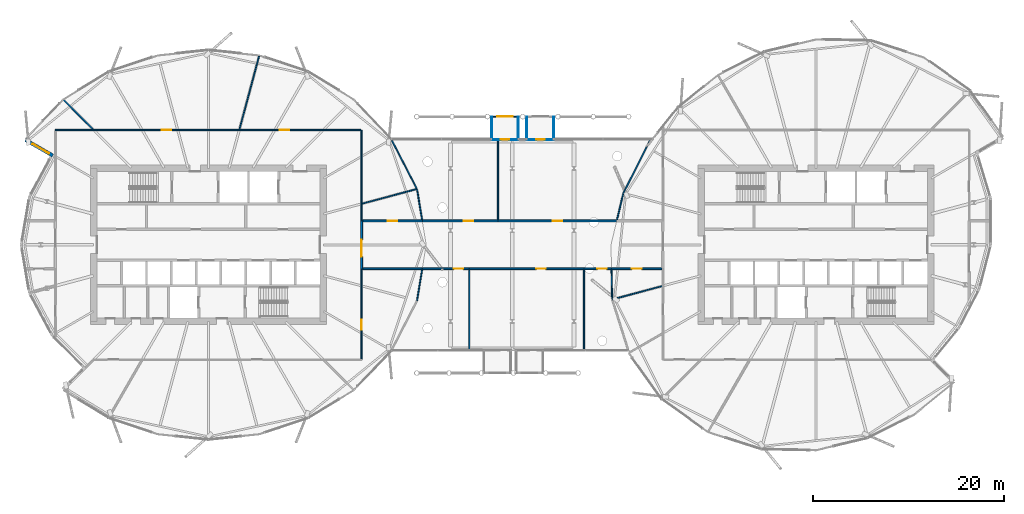
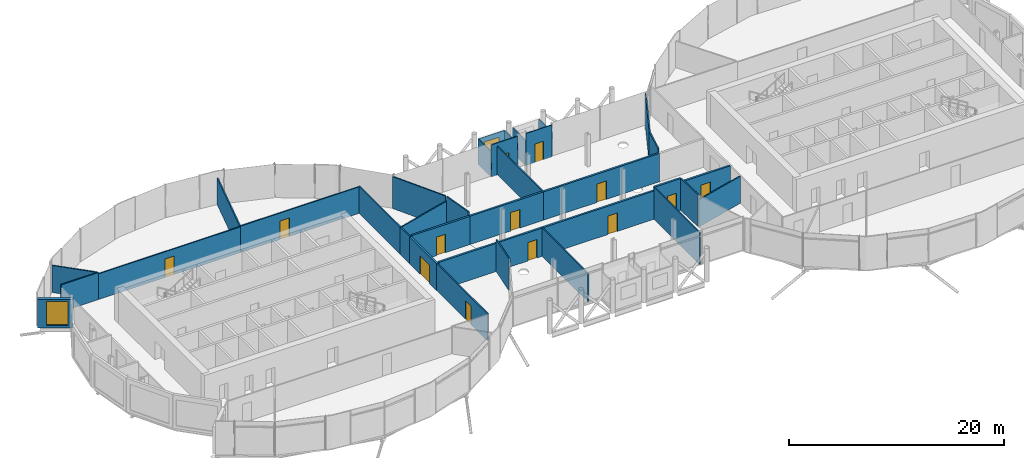
# One storey, part 25 of 39: 36 walls, 13 doors, 2 windows, 15 openings.
"""IFC4 building model written with IfcOpenShell, lengths in metres."""

from ifc_helpers import new_model, si_unit, direction, frame, frame_2d, origin, place, context, subcontext, project, spatial, rectangle, extrude, material, layer, layer_set, type_object, element, fill, save


model = new_model("IFC4")

# Units and contexts
model_context = context("Model", 3, precision=1e-05, world=origin(), true_north=direction((0.0, 1.0)))
body_context = subcontext(model_context, "Body", "Model", "MODEL_VIEW")
ifc_project = project(units=[si_unit("LENGTHUNIT", "METRE"), si_unit("AREAUNIT", "SQUARE_METRE"), si_unit("VOLUMEUNIT", "CUBIC_METRE"), si_unit("PLANEANGLEUNIT", "RADIAN"), si_unit("MASSUNIT", "GRAM", prefix="KILO")], contexts=[model_context])

# Site, building, storey
site_placement = place(None, origin())
site = spatial("IfcSite", under=ifc_project, at=site_placement, CompositionType="ELEMENT")
building_placement = place(site_placement, origin())
building = spatial("IfcBuilding", under=site, at=building_placement, Name="Rimbun Link Towers", CompositionType="ELEMENT")
storey_placement = place(building_placement, frame((0.0, 0.0, 139.199951171875)))
storey = spatial("IfcBuildingStorey", under=building, at=storey_placement, Name="L33", CompositionType="ELEMENT", Elevation=139.199951171875)

# Wall
ifc_material_1 = material(Name="Terracotta-faced insulated sandwich panel", Category="masonry")
ifc_layer_1 = layer(ifc_material_1, 0.10009765625)
ifc_layer_set_1 = layer_set([ifc_layer_1], Name="CAPSULE shell panel 100")
wall_type_1 = type_object("IfcWallType", Name="CAPSULE shell panel 100", PredefinedType="STANDARD", material=ifc_layer_set_1)
wall_1_placement = place(storey_placement, frame((0.646728515625, 11.0, -0.06005859375), z_axis=(0.0, 0.0, 1.0), x_axis=(0.0, 1.0, 0.0)))
element("IfcWall", 1, at=wall_1_placement, inside=storey, type_object=wall_type_1, Name="CAPSULE F33.01 shell panel 1", PredefinedType="STANDARD", context=body_context, shape_type="SweptSolid", body=[
    extrude(rectangle(XDim=2.39990234375, YDim=0.10009765625, at=frame_2d((1.199951171875, 0.0))), origin(), (0.0, 0.0, 1.0), 2.85009765625),
])

# Wall, opening, window
wall_2_placement = place(storey_placement, frame((0.646728515625, 13.39990234375, -0.06005859375), z_axis=(0.0, 0.0, 1.0), x_axis=(-1.0, 0.0, 0.0)))
wall_2 = element("IfcWall", 2, at=wall_2_placement, inside=storey, type_object=wall_type_1, Name="CAPSULE F33.01 shell panel 2", PredefinedType="STANDARD", context=body_context, shape_type="SweptSolid", body=[
    extrude(rectangle(XDim=2.800048828125, YDim=0.10009765625, at=frame_2d((1.39990234375, 0.0))), origin(), (0.0, 0.0, 1.0), 2.85009765625),
])
opening_1_placement = place(wall_2_placement, frame((0.60009765625, 0.0, 0.89990234375)))
opening_1 = element("IfcOpeningElement", 3, at=opening_1_placement, cuts=wall_2, Name="Opening CN33.01", PredefinedType="OPENING", context=body_context, shape_type="SweptSolid", body=[
    extrude(rectangle(XDim=1.60009765625, YDim=1.39990234375, at=frame_2d((0.800048828125, 0.699951171875))), frame((0.0, 0.06005859375, 0.0), z_axis=(0.0, -1.0, 0.0), x_axis=(1.0, 0.0, 0.0)), (0.0, 0.0, 1.0), 0.1201171875),
])
ifc_material_2 = material(Name="Aluminium framed window, low-iron glass", Category="aluminium")
window_type_1 = type_object("IfcWindowType", Name="CAPSULE window 1600X1400", PartitioningType="SINGLE_PANEL", PredefinedType="WINDOW", material=ifc_material_2)
window_1_placement = place(opening_1_placement, origin())
window_1 = element("IfcWindow", 4, at=window_1_placement, inside=storey, type_object=window_type_1, Name="CAPSULE F33.01 window", OverallHeight=1.39990234375, OverallWidth=1.60009765625, PartitioningType="SINGLE_PANEL", PredefinedType="WINDOW", context=body_context, shape_type="SweptSolid", body=[
    extrude(rectangle(XDim=1.60009765625, YDim=1.39990234375, at=frame_2d((0.800048828125, 0.699951171875))), frame((0.0, 0.030029296875, 0.0), z_axis=(0.0, -1.0, 0.0), x_axis=(1.0, 0.0, 0.0)), (0.0, 0.0, 1.0), 0.06005859375),
])
fill(opening_1, window_1)

# Wall
wall_3_placement = place(storey_placement, frame((-2.1533203125, 13.39990234375, -0.06005859375), z_axis=(0.0, 0.0, 1.0), x_axis=(0.0, -1.0, 0.0)))
element("IfcWall", 5, at=wall_3_placement, inside=storey, type_object=wall_type_1, Name="CAPSULE F33.01 shell panel 3", PredefinedType="STANDARD", context=body_context, shape_type="SweptSolid", body=[
    extrude(rectangle(XDim=2.39990234375, YDim=0.10009765625, at=frame_2d((1.199951171875, 0.0))), origin(), (0.0, 0.0, 1.0), 2.85009765625),
])

# Wall, opening, door
wall_4_placement = place(storey_placement, frame((-2.1533203125, 11.0, -0.06005859375), z_axis=(0.0, 0.0, 1.0), x_axis=(1.0, 0.0, 0.0)))
wall_4 = element("IfcWall", 6, at=wall_4_placement, inside=storey, type_object=wall_type_1, Name="CAPSULE F33.01 shell panel 4", PredefinedType="STANDARD", context=body_context, shape_type="SweptSolid", body=[
    extrude(rectangle(XDim=2.800048828125, YDim=0.10009765625, at=frame_2d((1.39990234375, 0.0))), origin(), (0.0, 0.0, 1.0), 3.64013671875),
])
opening_2_placement = place(wall_4_placement, frame((0.949951171875, 0.0, 0.0)))
opening_2 = element("IfcOpeningElement", 7, at=opening_2_placement, cuts=wall_4, Name="Opening CD33.01", PredefinedType="OPENING", context=body_context, shape_type="SweptSolid", body=[
    extrude(rectangle(XDim=0.89990234375, YDim=2.10009765625, at=frame_2d((0.449951171875, 1.050048828125))), frame((0.0, 0.06005859375, 0.0), z_axis=(0.0, -1.0, 0.0), x_axis=(1.0, 0.0, 0.0)), (0.0, 0.0, 1.0), 0.1201171875),
])
ifc_material_3 = material(Name="Aluminium framed insulated door leaf", Category="aluminium")
door_type_1 = type_object("IfcDoorType", Name="CAPSULE door single leaf 900X2100", OperationType="SINGLE_SWING_LEFT", PredefinedType="DOOR", material=ifc_material_3)
door_1_placement = place(opening_2_placement, origin())
door_1 = element("IfcDoor", 8, at=door_1_placement, inside=storey, type_object=door_type_1, Name="CAPSULE F33.01 door", OperationType="SINGLE_SWING_RIGHT", OverallHeight=2.10009765625, OverallWidth=0.89990234375, PredefinedType="DOOR", context=body_context, shape_type="SweptSolid", body=[
    extrude(rectangle(XDim=0.89990234375, YDim=2.10009765625, at=frame_2d((0.449951171875, 1.050048828125))), frame((0.0, 0.02490234375, 0.0), z_axis=(0.0, -1.0, 0.0), x_axis=(1.0, 0.0, 0.0)), (0.0, 0.0, 1.0), 0.050048828125),
])
fill(opening_2, door_1)

# Walls
for number, where, z_axis, x_axis, name in (
    (9, (4.336669921875, 11.0, -0.06005859375), (0.0, 0.0, 1.0), (0.0, 1.0, 0.0), "CAPSULE F33.02 shell panel 1"),
    (10, (1.536865234375, 13.39990234375, -0.06005859375), (0.0, 0.0, 1.0), (0.0, -1.0, 0.0), "CAPSULE F33.02 shell panel 3"),
):
    element("IfcWall", number, at=place(storey_placement, frame(where, z_axis=z_axis, x_axis=x_axis)), inside=storey, type_object=wall_type_1, Name=name, PredefinedType="STANDARD", context=body_context, shape_type="SweptSolid", body=[
        extrude(rectangle(XDim=2.39990234375, YDim=0.10009765625, at=frame_2d((1.199951171875, 0.0))), origin(), (0.0, 0.0, 1.0), 2.85009765625),
    ])

# Wall, opening, door
wall_5_placement = place(storey_placement, frame((1.536865234375, 11.0, -0.06005859375), z_axis=(0.0, 0.0, 1.0), x_axis=(1.0, 0.0, 0.0)))
wall_5 = element("IfcWall", 11, at=wall_5_placement, inside=storey, type_object=wall_type_1, Name="CAPSULE F33.02 shell panel 4", PredefinedType="STANDARD", context=body_context, shape_type="SweptSolid", body=[
    extrude(rectangle(XDim=2.7998046875, YDim=0.10009765625, at=frame_2d((1.39990234375, 0.0))), origin(), (0.0, 0.0, 1.0), 3.64013671875),
])
opening_3_placement = place(wall_5_placement, frame((0.949951171875, 0.0, 0.0)))
opening_3 = element("IfcOpeningElement", 12, at=opening_3_placement, cuts=wall_5, Name="Opening CD33.02", PredefinedType="OPENING", context=body_context, shape_type="SweptSolid", body=[
    extrude(rectangle(XDim=0.89990234375, YDim=2.10009765625, at=frame_2d((0.449951171875, 1.050048828125))), frame((0.0, 0.06005859375, 0.0), z_axis=(0.0, -1.0, 0.0), x_axis=(1.0, 0.0, 0.0)), (0.0, 0.0, 1.0), 0.1201171875),
])
door_2_placement = place(opening_3_placement, origin())
door_2 = element("IfcDoor", 13, at=door_2_placement, inside=storey, type_object=door_type_1, Name="CAPSULE F33.02 door", OperationType="SINGLE_SWING_LEFT", OverallHeight=2.10009765625, OverallWidth=0.89990234375, PredefinedType="DOOR", context=body_context, shape_type="SweptSolid", body=[
    extrude(rectangle(XDim=0.89990234375, YDim=2.10009765625, at=frame_2d((0.449951171875, 1.050048828125))), frame((0.0, 0.02490234375, 0.0), z_axis=(0.0, -1.0, 0.0), x_axis=(1.0, 0.0, 0.0)), (0.0, 0.0, 1.0), 0.050048828125),
])
fill(opening_3, door_2)

# Wall, opening, window
ifc_material_4 = material(Name="Dark enamelled glass spandrel on insulated aluminium backpan", Category="aluminium")
ifc_layer_2 = layer(ifc_material_4, 0.3701171875)
ifc_layer_set_2 = layer_set([ifc_layer_2], Name="CS dark enamelled spandrel wall 370")
wall_type_2 = type_object("IfcWallType", Name="CS dark enamelled spandrel wall 370", PredefinedType="STANDARD", material=ifc_layer_set_2)
wall_6_placement = place(storey_placement, frame((-48.031494140625, 9.324951171875, 0.0), z_axis=(0.0, 0.0, 1.0), x_axis=(-0.866008333849, 0.50002956483, 0.0)))
wall_6 = element("IfcWall", 14, at=wall_6_placement, inside=storey, type_object=wall_type_2, Name="Crease spandrel wall", PredefinedType="STANDARD", context=body_context, shape_type="SweptSolid", body=[
    extrude(rectangle(XDim=3.280029296875, YDim=0.3701171875, at=frame_2d((1.64013671875, 0.0))), origin(), (0.0, 0.0, 1.0), 3.20361328125),
])
opening_4_placement = place(wall_6_placement, frame((0.4501953125, 0.0, 0.300048828125)))
opening_4 = element("IfcOpeningElement", 15, at=opening_4_placement, cuts=wall_6, Name="Opening WR20H270", PredefinedType="OPENING", context=body_context, shape_type="SweptSolid", body=[
    extrude(rectangle(XDim=2.0, YDim=2.699951171875, at=frame_2d((1.0, 1.35009765625))), frame((0.0, 0.195068359375, 0.0), z_axis=(0.0, -1.0, 0.0), x_axis=(1.0, 0.0, 0.0)), (0.0, 0.0, 1.0), 0.39013671875),
])
ifc_material_5 = material(Name="Aluminium framed fixed window, dark tinted low-e glass", Category="aluminium")
window_type_2 = type_object("IfcWindowType", Name="WR ribbon window 2000X2700", PartitioningType="SINGLE_PANEL", PredefinedType="WINDOW", material=ifc_material_5)
window_2_placement = place(opening_4_placement, origin())
window_2 = element("IfcWindow", 16, at=window_2_placement, inside=storey, type_object=window_type_2, Name="Crease ribbon window", OverallHeight=2.699951171875, OverallWidth=2.0, PartitioningType="SINGLE_PANEL", PredefinedType="WINDOW", context=body_context, shape_type="SweptSolid", body=[
    extrude(rectangle(XDim=2.0, YDim=2.699951171875, at=frame_2d((1.0, 1.35009765625))), frame((0.0, 0.030029296875, 0.0), z_axis=(0.0, -1.0, 0.0), x_axis=(1.0, 0.0, 0.0)), (0.0, 0.0, 1.0), 0.06005859375),
])
fill(opening_4, window_2)

# Wall, opening, door
ifc_material_6 = material(Name="Concrete blockwork", Category="masonry")
ifc_layer_3 = layer(ifc_material_6, 0.199951171875)
ifc_layer_set_3 = layer_set([ifc_layer_3], Name="Fire partition 200 blockwork")
wall_type_3 = type_object("IfcWallType", Name="Fire partition 200 blockwork", PredefinedType="PARTITIONING", material=ifc_layer_set_3)
wall_7_placement = place(storey_placement, frame((-1.5, 2.5, 0.0), z_axis=(0.0, 0.0, 1.0), x_axis=(-1.0, 0.0, 0.0)))
wall_7 = element("IfcWall", 17, at=wall_7_placement, inside=storey, type_object=wall_type_3, Name="TW/PW/L33/001", PredefinedType="PARTITIONING", context=body_context, shape_type="SweptSolid", body=[
    extrude(rectangle(XDim=7.90771484375, YDim=0.199951171875, at=frame_2d((3.953857421875, 0.0))), origin(), (0.0, 0.0, 1.0), 3.214111328125),
])
opening_5_placement = place(wall_7_placement, frame((2.552978515625, 0.0, 0.0)))
opening_5 = element("IfcOpeningElement", 18, at=opening_5_placement, cuts=wall_7, Name="Opening TW D33.18", PredefinedType="OPENING", context=body_context, shape_type="SweptSolid", body=[
    extrude(rectangle(XDim=1.0, YDim=2.10009765625, at=frame_2d((0.5, 1.050048828125))), frame((0.0, 0.10986328125, 0.0), z_axis=(0.0, -1.0, 0.0), x_axis=(1.0, 0.0, 0.0)), (0.0, 0.0, 1.0), 0.219970703125),
])
ifc_material_7 = material(Name="Steel fire door set", Category="steel")
door_type_2 = type_object("IfcDoorType", Name="Fire door single leaf 1000 x 2100", OperationType="NOTDEFINED", PredefinedType="DOOR", material=ifc_material_7)
door_3_placement = place(opening_5_placement, origin())
door_3 = element("IfcDoor", 19, at=door_3_placement, inside=storey, type_object=door_type_2, Name="TW/DR/L33/018", OperationType="SINGLE_SWING_LEFT", OverallHeight=2.10009765625, OverallWidth=1.0, PredefinedType="DOOR", context=body_context, shape_type="SweptSolid", body=[
    extrude(rectangle(XDim=1.0, YDim=2.10009765625, at=frame_2d((0.5, 1.050048828125))), frame((0.0, 0.02490234375, 0.0), z_axis=(0.0, -1.0, 0.0), x_axis=(1.0, 0.0, 0.0)), (0.0, 0.0, 1.0), 0.050048828125),
])
fill(opening_5, door_3)

wall_8_placement = place(storey_placement, frame((10.916748046875, 2.5, 0.0), z_axis=(0.0, 0.0, 1.0), x_axis=(-1.0, 0.0, 0.0)))
wall_8 = element("IfcWall", 20, at=wall_8_placement, inside=storey, type_object=wall_type_3, Name="TW/PW/L33/002", PredefinedType="PARTITIONING", context=body_context, shape_type="SweptSolid", body=[
    extrude(rectangle(XDim=12.416748046875, YDim=0.199951171875, at=frame_2d((6.20849609375, 0.0))), origin(), (0.0, 0.0, 1.0), 3.214111328125),
])
opening_6_placement = place(wall_8_placement, frame((5.7080078125, 0.0, 0.0)))
opening_6 = element("IfcOpeningElement", 21, at=opening_6_placement, cuts=wall_8, Name="Opening TW D33.19", PredefinedType="OPENING", context=body_context, shape_type="SweptSolid", body=[
    extrude(rectangle(XDim=1.0, YDim=2.10009765625, at=frame_2d((0.5, 1.050048828125))), frame((0.0, 0.10986328125, 0.0), z_axis=(0.0, -1.0, 0.0), x_axis=(1.0, 0.0, 0.0)), (0.0, 0.0, 1.0), 0.219970703125),
])
door_4_placement = place(opening_6_placement, origin())
door_4 = element("IfcDoor", 22, at=door_4_placement, inside=storey, type_object=door_type_2, Name="TW/DR/L33/019", OperationType="SINGLE_SWING_RIGHT", OverallHeight=2.10009765625, OverallWidth=1.0, PredefinedType="DOOR", context=body_context, shape_type="SweptSolid", body=[
    extrude(rectangle(XDim=1.0, YDim=2.10009765625, at=frame_2d((0.5, 1.050048828125))), frame((0.0, 0.02490234375, 0.0), z_axis=(0.0, -1.0, 0.0), x_axis=(1.0, 0.0, 0.0)), (0.0, 0.0, 1.0), 0.050048828125),
])
fill(opening_6, door_4)

wall_9_placement = place(storey_placement, frame((-9.40771484375, -2.5, 0.0), z_axis=(0.0, 0.0, 1.0), x_axis=(1.0, 0.0, 0.0)))
wall_9 = element("IfcWall", 23, at=wall_9_placement, inside=storey, type_object=wall_type_3, Name="TW/PW/L33/003", PredefinedType="PARTITIONING", context=body_context, shape_type="SweptSolid", body=[
    extrude(rectangle(XDim=4.90771484375, YDim=0.199951171875, at=frame_2d((2.453857421875, 0.0))), origin(), (0.0, 0.0, 1.0), 3.214111328125),
])
opening_7_placement = place(wall_9_placement, frame((3.306884765625, 0.0, 0.0)))
opening_7 = element("IfcOpeningElement", 24, at=opening_7_placement, cuts=wall_9, Name="Opening TW D33.20", PredefinedType="OPENING", context=body_context, shape_type="SweptSolid", body=[
    extrude(rectangle(XDim=1.0, YDim=2.10009765625, at=frame_2d((0.5, 1.050048828125))), frame((0.0, 0.10986328125, 0.0), z_axis=(0.0, -1.0, 0.0), x_axis=(1.0, 0.0, 0.0)), (0.0, 0.0, 1.0), 0.219970703125),
])
door_5_placement = place(opening_7_placement, origin())
door_5 = element("IfcDoor", 25, at=door_5_placement, inside=storey, type_object=door_type_2, Name="TW/DR/L33/020", OperationType="SINGLE_SWING_LEFT", OverallHeight=2.10009765625, OverallWidth=1.0, PredefinedType="DOOR", context=body_context, shape_type="SweptSolid", body=[
    extrude(rectangle(XDim=1.0, YDim=2.10009765625, at=frame_2d((0.5, 1.050048828125))), frame((0.0, 0.02490234375, 0.0), z_axis=(0.0, -1.0, 0.0), x_axis=(1.0, 0.0, 0.0)), (0.0, 0.0, 1.0), 0.050048828125),
])
fill(opening_7, door_5)

wall_10_placement = place(storey_placement, frame((-4.5, -2.5, 0.0), z_axis=(0.0, 0.0, 1.0), x_axis=(1.0, 0.0, 0.0)))
wall_10 = element("IfcWall", 26, at=wall_10_placement, inside=storey, type_object=wall_type_3, Name="TW/PW/L33/004", PredefinedType="PARTITIONING", context=body_context, shape_type="SweptSolid", body=[
    extrude(rectangle(XDim=12.0, YDim=0.199951171875, at=frame_2d((6.0, 0.0))), origin(), (0.0, 0.0, 1.0), 3.214111328125),
])
opening_8_placement = place(wall_10_placement, frame((7.014892578125, 0.0, 0.0)))
opening_8 = element("IfcOpeningElement", 27, at=opening_8_placement, cuts=wall_10, Name="Opening TW D33.21", PredefinedType="OPENING", context=body_context, shape_type="SweptSolid", body=[
    extrude(rectangle(XDim=1.0, YDim=2.10009765625, at=frame_2d((0.5, 1.050048828125))), frame((0.0, 0.10986328125, 0.0), z_axis=(0.0, -1.0, 0.0), x_axis=(1.0, 0.0, 0.0)), (0.0, 0.0, 1.0), 0.219970703125),
])
door_6_placement = place(opening_8_placement, origin())
door_6 = element("IfcDoor", 28, at=door_6_placement, inside=storey, type_object=door_type_2, Name="TW/DR/L33/021", OperationType="SINGLE_SWING_RIGHT", OverallHeight=2.10009765625, OverallWidth=1.0, PredefinedType="DOOR", context=body_context, shape_type="SweptSolid", body=[
    extrude(rectangle(XDim=1.0, YDim=2.10009765625, at=frame_2d((0.5, 1.050048828125))), frame((0.0, 0.02490234375, 0.0), z_axis=(0.0, -1.0, 0.0), x_axis=(1.0, 0.0, 0.0)), (0.0, 0.0, 1.0), 0.050048828125),
])
fill(opening_8, door_6)

wall_11_placement = place(storey_placement, frame((7.5, -2.5, 0.0), z_axis=(0.0, 0.0, 1.0), x_axis=(1.0, 0.0, 0.0)))
wall_11 = element("IfcWall", 29, at=wall_11_placement, inside=storey, type_object=wall_type_3, Name="TW/PW/L33/005", PredefinedType="PARTITIONING", context=body_context, shape_type="SweptSolid", body=[
    extrude(rectangle(XDim=2.87158203125, YDim=0.199951171875, at=frame_2d((1.435791015625, 0.0))), origin(), (0.0, 0.0, 1.0), 3.6201171875),
])
opening_9_placement = place(wall_11_placement, frame((1.373046875, 0.0, 0.0)))
opening_9 = element("IfcOpeningElement", 30, at=opening_9_placement, cuts=wall_11, Name="Opening TW D33.22", PredefinedType="OPENING", context=body_context, shape_type="SweptSolid", body=[
    extrude(rectangle(XDim=1.0, YDim=2.10009765625, at=frame_2d((0.5, 1.050048828125))), frame((0.0, 0.10986328125, 0.0), z_axis=(0.0, -1.0, 0.0), x_axis=(1.0, 0.0, 0.0)), (0.0, 0.0, 1.0), 0.219970703125),
])
door_7_placement = place(opening_9_placement, origin())
door_7 = element("IfcDoor", 31, at=door_7_placement, inside=storey, type_object=door_type_2, Name="TW/DR/L33/022", OperationType="SINGLE_SWING_LEFT", OverallHeight=2.10009765625, OverallWidth=1.0, PredefinedType="DOOR", context=body_context, shape_type="SweptSolid", body=[
    extrude(rectangle(XDim=1.0, YDim=2.10009765625, at=frame_2d((0.5, 1.050048828125))), frame((0.0, 0.02490234375, 0.0), z_axis=(0.0, -1.0, 0.0), x_axis=(1.0, 0.0, 0.0)), (0.0, 0.0, 1.0), 0.050048828125),
])
fill(opening_9, door_7)

wall_12_placement = place(storey_placement, frame((-15.75, -2.5, 0.0), z_axis=(0.0, 0.0, 1.0), x_axis=(0.0, 1.0, 0.0)))
wall_12 = element("IfcWall", 32, at=wall_12_placement, inside=storey, type_object=wall_type_3, Name="TW/PW/L33/006", PredefinedType="PARTITIONING", context=body_context, shape_type="SweptSolid", body=[
    extrude(rectangle(XDim=5.0, YDim=0.199951171875, at=frame_2d((2.5, 0.0))), origin(), (0.0, 0.0, 1.0), 3.067138671875),
])
opening_10_placement = place(wall_12_placement, frame((1.2548828125, 0.0, 0.0)))
opening_10 = element("IfcOpeningElement", 33, at=opening_10_placement, cuts=wall_12, Name="Opening TW D33.23", PredefinedType="OPENING", context=body_context, shape_type="SweptSolid", body=[
    extrude(rectangle(XDim=1.800048828125, YDim=2.10009765625, at=frame_2d((0.89990234375, 1.050048828125))), frame((0.0, 0.10986328125, 0.0), z_axis=(0.0, -1.0, 0.0), x_axis=(1.0, 0.0, 0.0)), (0.0, 0.0, 1.0), 0.219970703125),
])
ifc_material_8 = material(Name="Steel fire door set", Category="steel")
door_type_3 = type_object("IfcDoorType", Name="Fire door double leaf 1800 x 2100", OperationType="NOTDEFINED", PredefinedType="DOOR", material=ifc_material_8)
door_8_placement = place(opening_10_placement, origin())
door_8 = element("IfcDoor", 34, at=door_8_placement, inside=storey, type_object=door_type_3, Name="TW/DR/L33/023", OperationType="DOUBLE_DOOR_SINGLE_SWING", OverallHeight=2.10009765625, OverallWidth=1.800048828125, PredefinedType="DOOR", context=body_context, shape_type="SweptSolid", body=[
    extrude(rectangle(XDim=1.800048828125, YDim=2.10009765625, at=frame_2d((0.89990234375, 1.050048828125))), frame((0.0, 0.02490234375, 0.0), z_axis=(0.0, -1.0, 0.0), x_axis=(1.0, 0.0, 0.0)), (0.0, 0.0, 1.0), 0.050048828125),
])
fill(opening_10, door_8)

wall_13_placement = place(storey_placement, frame((-9.40771484375, 2.5, 0.0), z_axis=(0.0, 0.0, 1.0), x_axis=(-1.0, 0.0, 0.0)))
wall_13 = element("IfcWall", 35, at=wall_13_placement, inside=storey, type_object=wall_type_3, Name="TW/PW/L33/021", PredefinedType="PARTITIONING", context=body_context, shape_type="SweptSolid", body=[
    extrude(rectangle(XDim=6.2421875, YDim=0.199951171875, at=frame_2d((3.12109375, 0.0))), origin(), (0.0, 0.0, 1.0), 3.194091796875),
])
opening_11_placement = place(wall_13_placement, frame((2.62109375, 0.0, 0.0)))
opening_11 = element("IfcOpeningElement", 36, at=opening_11_placement, cuts=wall_13, Name="Opening TW D33.04", PredefinedType="OPENING", context=body_context, shape_type="SweptSolid", body=[
    extrude(rectangle(XDim=1.0, YDim=2.10009765625, at=frame_2d((0.5, 1.050048828125))), frame((0.0, 0.10986328125, 0.0), z_axis=(0.0, -1.0, 0.0), x_axis=(1.0, 0.0, 0.0)), (0.0, 0.0, 1.0), 0.219970703125),
])
door_9_placement = place(opening_11_placement, origin())
door_9 = element("IfcDoor", 37, at=door_9_placement, inside=storey, type_object=door_type_2, Name="TW/DR/L33/004", OperationType="SINGLE_SWING_LEFT", OverallHeight=2.10009765625, OverallWidth=1.0, PredefinedType="DOOR", context=body_context, shape_type="SweptSolid", body=[
    extrude(rectangle(XDim=1.0, YDim=2.10009765625, at=frame_2d((0.5, 1.050048828125))), frame((0.0, 0.02490234375, 0.0), z_axis=(0.0, -1.0, 0.0), x_axis=(1.0, 0.0, 0.0)), (0.0, 0.0, 1.0), 0.050048828125),
])
fill(opening_11, door_9)

# Wall
wall_14_placement = place(storey_placement, frame((-15.64990234375, -2.5, 0.0), z_axis=(0.0, 0.0, 1.0), x_axis=(1.0, 0.0, 0.0)))
element("IfcWall", 38, at=wall_14_placement, inside=storey, type_object=wall_type_3, Name="TW/PW/L33/022", PredefinedType="PARTITIONING", context=body_context, shape_type="SweptSolid", body=[
    extrude(rectangle(XDim=6.2421875, YDim=0.199951171875, at=frame_2d((3.12109375, 0.0))), origin(), (0.0, 0.0, 1.0), 3.194091796875),
])

# Wall, opening, door
wall_15_placement = place(storey_placement, frame((10.37158203125, -2.5, 0.0), z_axis=(0.0, 0.0, 1.0), x_axis=(1.0, 0.0, 0.0)))
wall_15 = element("IfcWall", 39, at=wall_15_placement, inside=storey, type_object=wall_type_3, Name="TW/PW/L33/049", PredefinedType="PARTITIONING", context=body_context, shape_type="SweptSolid", body=[
    extrude(rectangle(XDim=5.2783203125, YDim=0.199951171875, at=frame_2d((2.63916015625, 0.0))), origin(), (0.0, 0.0, 1.0), 3.194091796875),
])
opening_12_placement = place(wall_15_placement, frame((2.138916015625, 0.0, 0.0)))
opening_12 = element("IfcOpeningElement", 40, at=opening_12_placement, cuts=wall_15, Name="Opening TW D33.16", PredefinedType="OPENING", context=body_context, shape_type="SweptSolid", body=[
    extrude(rectangle(XDim=1.0, YDim=2.10009765625, at=frame_2d((0.5, 1.050048828125))), frame((0.0, 0.10986328125, 0.0), z_axis=(0.0, -1.0, 0.0), x_axis=(1.0, 0.0, 0.0)), (0.0, 0.0, 1.0), 0.219970703125),
])
door_10_placement = place(opening_12_placement, origin())
door_10 = element("IfcDoor", 41, at=door_10_placement, inside=storey, type_object=door_type_2, Name="TW/DR/L33/016", OperationType="SINGLE_SWING_LEFT", OverallHeight=2.10009765625, OverallWidth=1.0, PredefinedType="DOOR", context=body_context, shape_type="SweptSolid", body=[
    extrude(rectangle(XDim=1.0, YDim=2.10009765625, at=frame_2d((0.5, 1.050048828125))), frame((0.0, 0.02490234375, 0.0), z_axis=(0.0, -1.0, 0.0), x_axis=(1.0, 0.0, 0.0)), (0.0, 0.0, 1.0), 0.050048828125),
])
fill(opening_12, door_10)

# Wall
ifc_material_9 = material(Name="Gypsum board on steel studs", Category="steel")
ifc_layer_4 = layer(ifc_material_9, 0.125)
ifc_layer_set_4 = layer_set([ifc_layer_4], Name="Partition 125 board on studs")
wall_type_4 = type_object("IfcWallType", Name="Partition 125 board on studs", PredefinedType="PARTITIONING", material=ifc_layer_set_4)
wall_16_placement = place(storey_placement, frame((-15.75, 2.5, 0.0), z_axis=(0.0, 0.0, 1.0), x_axis=(0.0, 1.0, 0.0)))
element("IfcWall", 42, at=wall_16_placement, inside=storey, type_object=wall_type_4, Name="TW/PW/L33/012", PredefinedType="PARTITIONING", context=body_context, shape_type="SweptSolid", body=[
    extrude(rectangle(XDim=1.787109375, YDim=0.125, at=frame_2d((0.8935546875, 0.0))), origin(), (0.0, 0.0, 1.0), 3.067138671875),
])

# Wall, opening, door
wall_17_placement = place(storey_placement, frame((-15.75, -11.9375, 0.0), z_axis=(0.0, 0.0, 1.0), x_axis=(0.0, 1.0, 0.0)))
wall_17 = element("IfcWall", 43, at=wall_17_placement, inside=storey, type_object=wall_type_4, Name="TW/PW/L33/014", PredefinedType="PARTITIONING", context=body_context, shape_type="SweptSolid", body=[
    extrude(rectangle(XDim=9.4375, YDim=0.125, at=frame_2d((4.71875, 0.0))), origin(), (0.0, 0.0, 1.0), 3.067138671875),
])
opening_13_placement = place(wall_17_placement, frame((3.087890625, 0.0, 0.0)))
opening_13 = element("IfcOpeningElement", 44, at=opening_13_placement, cuts=wall_17, Name="Opening TW D33.05", PredefinedType="OPENING", context=body_context, shape_type="SweptSolid", body=[
    extrude(rectangle(XDim=1.0, YDim=2.10009765625, at=frame_2d((0.5, 1.050048828125))), frame((0.0, 0.072509765625, 0.0), z_axis=(0.0, -1.0, 0.0), x_axis=(1.0, 0.0, 0.0)), (0.0, 0.0, 1.0), 0.14501953125),
])
ifc_material_10 = material(Name="Timber door set", Category="wood")
door_type_4 = type_object("IfcDoorType", Name="Door single leaf 1000 x 2100", OperationType="NOTDEFINED", PredefinedType="DOOR", material=ifc_material_10)
door_11_placement = place(opening_13_placement, origin())
door_11 = element("IfcDoor", 45, at=door_11_placement, inside=storey, type_object=door_type_4, Name="TW/DR/L33/005", OperationType="SINGLE_SWING_RIGHT", OverallHeight=2.10009765625, OverallWidth=1.0, PredefinedType="DOOR", context=body_context, shape_type="SweptSolid", body=[
    extrude(rectangle(XDim=1.0, YDim=2.10009765625, at=frame_2d((0.5, 1.050048828125))), frame((0.0, 0.02490234375, 0.0), z_axis=(0.0, -1.0, 0.0), x_axis=(1.0, 0.0, 0.0)), (0.0, 0.0, 1.0), 0.050048828125),
])
fill(opening_13, door_11)

# Wall
wall_18_placement = place(storey_placement, frame((-15.75, 4.287109375, 0.0), z_axis=(0.0, 0.0, 1.0), x_axis=(0.0, 1.0, 0.0)))
element("IfcWall", 46, at=wall_18_placement, inside=storey, type_object=wall_type_4, Name="TW/PW/L33/015", PredefinedType="PARTITIONING", context=body_context, shape_type="SweptSolid", body=[
    extrude(rectangle(XDim=7.712890625, YDim=0.125, at=frame_2d((3.8564453125, 0.0))), origin(), (0.0, 0.0, 1.0), 3.067138671875),
])

# Wall, opening, door
wall_19_placement = place(storey_placement, frame((-15.8125, 12.0, 0.0), z_axis=(0.0, 0.0, 1.0), x_axis=(-1.0, 0.0, 0.0)))
wall_19 = element("IfcWall", 47, at=wall_19_placement, inside=storey, type_object=wall_type_4, Name="TW/PW/L33/016", PredefinedType="PARTITIONING", context=body_context, shape_type="SweptSolid", body=[
    extrude(rectangle(XDim=12.72216796875, YDim=0.125, at=frame_2d((6.361083984375, 0.0))), origin(), (0.0, 0.0, 1.0), 2.9970703125),
])
opening_14_placement = place(wall_19_placement, frame((7.48388671875, 0.0, 0.0)))
opening_14 = element("IfcOpeningElement", 48, at=opening_14_placement, cuts=wall_19, Name="Opening TW D33.06", PredefinedType="OPENING", context=body_context, shape_type="SweptSolid", body=[
    extrude(rectangle(XDim=1.0, YDim=2.10009765625, at=frame_2d((0.5, 1.050048828125))), frame((0.0, 0.072509765625, 0.0), z_axis=(0.0, -1.0, 0.0), x_axis=(1.0, 0.0, 0.0)), (0.0, 0.0, 1.0), 0.14501953125),
])
door_12_placement = place(opening_14_placement, origin())
door_12 = element("IfcDoor", 49, at=door_12_placement, inside=storey, type_object=door_type_4, Name="TW/DR/L33/006", OperationType="SINGLE_SWING_LEFT", OverallHeight=2.10009765625, OverallWidth=1.0, PredefinedType="DOOR", context=body_context, shape_type="SweptSolid", body=[
    extrude(rectangle(XDim=1.0, YDim=2.10009765625, at=frame_2d((0.5, 1.050048828125))), frame((0.0, 0.02490234375, 0.0), z_axis=(0.0, -1.0, 0.0), x_axis=(1.0, 0.0, 0.0)), (0.0, 0.0, 1.0), 0.050048828125),
])
fill(opening_14, door_12)

wall_20_placement = place(storey_placement, frame((-28.53466796875, 12.0, 0.0), z_axis=(0.0, 0.0, 1.0), x_axis=(-1.0, 0.0, 0.0)))
wall_20 = element("IfcWall", 50, at=wall_20_placement, inside=storey, type_object=wall_type_4, Name="TW/PW/L33/017", PredefinedType="PARTITIONING", context=body_context, shape_type="SweptSolid", body=[
    extrude(rectangle(XDim=15.21533203125, YDim=0.125, at=frame_2d((7.607666015625, 0.0))), origin(), (0.0, 0.0, 1.0), 2.9169921875),
])
opening_15_placement = place(wall_20_placement, frame((7.10791015625, 0.0, 0.0)))
opening_15 = element("IfcOpeningElement", 51, at=opening_15_placement, cuts=wall_20, Name="Opening TW D33.07", PredefinedType="OPENING", context=body_context, shape_type="SweptSolid", body=[
    extrude(rectangle(XDim=1.0, YDim=2.10009765625, at=frame_2d((0.5, 1.050048828125))), frame((0.0, 0.072509765625, 0.0), z_axis=(0.0, -1.0, 0.0), x_axis=(1.0, 0.0, 0.0)), (0.0, 0.0, 1.0), 0.14501953125),
])
door_13_placement = place(opening_15_placement, origin())
door_13 = element("IfcDoor", 52, at=door_13_placement, inside=storey, type_object=door_type_4, Name="TW/DR/L33/007", OperationType="SINGLE_SWING_RIGHT", OverallHeight=2.10009765625, OverallWidth=1.0, PredefinedType="DOOR", context=body_context, shape_type="SweptSolid", body=[
    extrude(rectangle(XDim=1.0, YDim=2.10009765625, at=frame_2d((0.5, 1.050048828125))), frame((0.0, 0.02490234375, 0.0), z_axis=(0.0, -1.0, 0.0), x_axis=(1.0, 0.0, 0.0)), (0.0, 0.0, 1.0), 0.050048828125),
])
fill(opening_15, door_13)

# Walls
wall_21_placement = place(storey_placement, frame((-43.75, 12.0, 0.0), z_axis=(0.0, 0.0, 1.0), x_axis=(-1.0, 0.0, 0.0)))
element("IfcWall", 53, at=wall_21_placement, inside=storey, type_object=wall_type_4, Name="TW/PW/L33/019", PredefinedType="PARTITIONING", context=body_context, shape_type="SweptSolid", body=[
    extrude(rectangle(XDim=4.0, YDim=0.125, at=frame_2d((2.0, 0.0))), origin(), (0.0, 0.0, 1.0), 3.067138671875),
])
wall_22_placement = place(storey_placement, frame((-9.956787109375, 5.839599609375, 0.0), z_axis=(0.0, 0.0, 1.0), x_axis=(-0.965924657893, -0.258823405576, 0.0)))
element("IfcWall", 54, at=wall_22_placement, inside=storey, type_object=wall_type_4, Name="TW/PW/L33/028", PredefinedType="PARTITIONING", context=body_context, shape_type="SweptSolid", body=[
    extrude(rectangle(XDim=5.916259765625, YDim=0.125, at=frame_2d((2.9580078125, 0.0))), origin(), (0.0, 0.0, 1.0), 3.067138671875),
])
wall_23_placement = place(storey_placement, frame((-9.42578125, 2.610107421875, 0.0), z_axis=(0.0, 0.0, 1.0), x_axis=(-0.162236076133, 0.986751972687, 0.0)))
element("IfcWall", 55, at=wall_23_placement, inside=storey, type_object=wall_type_4, Name="TW/PW/L33/029", PredefinedType="PARTITIONING", context=body_context, shape_type="SweptSolid", body=[
    extrude(rectangle(XDim=3.203857421875, YDim=0.125, at=frame_2d((1.60205078125, 0.0))), origin(), (0.0, 0.0, 1.0), 3.6201171875),
])
wall_24_placement = place(storey_placement, frame((-9.95361328125, -5.81982421875, 0.0), z_axis=(0.0, 0.0, 1.0), x_axis=(0.162268668025, 0.986746613563, 0.0)))
element("IfcWall", 56, at=wall_24_placement, inside=storey, type_object=wall_type_4, Name="TW/PW/L33/031", PredefinedType="PARTITIONING", context=body_context, shape_type="SweptSolid", body=[
    extrude(rectangle(XDim=3.2529296875, YDim=0.125, at=frame_2d((1.62646484375, 0.0))), origin(), (0.0, 0.0, 1.0), 3.6201171875),
])
wall_25_placement = place(storey_placement, frame((-26.435302734375, 19.835205078125, 0.0), z_axis=(0.0, 0.0, 1.0), x_axis=(-0.258790287358, -0.965933531445, 0.0)))
element("IfcWall", 57, at=wall_25_placement, inside=storey, type_object=wall_type_4, Name="TW/PW/L33/032", PredefinedType="PARTITIONING", context=body_context, shape_type="SweptSolid", body=[
    extrude(rectangle(XDim=8.030029296875, YDim=0.125, at=frame_2d((4.01513671875, 0.0))), origin(), (0.0, 0.0, 1.0), 2.9970703125),
])
wall_26_placement = place(storey_placement, frame((-9.991455078125, 5.906494140625, 0.0), z_axis=(0.0, 0.0, 1.0), x_axis=(-0.459564542477, 0.888144375256, 0.0)))
element("IfcWall", 58, at=wall_26_placement, inside=storey, type_object=wall_type_4, Name="TW/PW/L33/033", PredefinedType="PARTITIONING", context=body_context, shape_type="SweptSolid", body=[
    extrude(rectangle(XDim=5.81494140625, YDim=0.125, at=frame_2d((2.907470703125, 0.0))), origin(), (0.0, 0.0, 1.0), 3.6201171875),
])
wall_27_placement = place(storey_placement, frame((-46.904296875, 15.154296875, 0.0), z_axis=(0.0, 0.0, 1.0), x_axis=(0.707106781187, -0.707106781187, 0.0)))
element("IfcWall", 59, at=wall_27_placement, inside=storey, type_object=wall_type_4, Name="TW/PW/L33/034", PredefinedType="PARTITIONING", context=body_context, shape_type="SweptSolid", body=[
    extrude(rectangle(XDim=4.31005859375, YDim=0.125, at=frame_2d((2.155029296875, 0.0))), origin(), (0.0, 0.0, 1.0), 3.067138671875),
])
wall_28_placement = place(storey_placement, frame((15.67138671875, -4.308349609375, 0.0), z_axis=(0.0, 0.0, 1.0), x_axis=(-0.96592736834, -0.258813290022, 0.0)))
element("IfcWall", 60, at=wall_28_placement, inside=storey, type_object=wall_type_4, Name="TW/PW/L33/052", PredefinedType="PARTITIONING", context=body_context, shape_type="SweptSolid", body=[
    extrude(rectangle(XDim=5.4267578125, YDim=0.125, at=frame_2d((2.71337890625, 0.0))), origin(), (0.0, 0.0, 1.0), 3.067138671875),
])
wall_29_placement = place(storey_placement, frame((10.37353515625, -2.601318359375, 0.0), z_axis=(0.0, 0.0, 1.0), x_axis=(0.021110703723, -0.999777144262, 0.0)))
element("IfcWall", 61, at=wall_29_placement, inside=storey, type_object=wall_type_4, Name="TW/PW/L33/058", PredefinedType="PARTITIONING", context=body_context, shape_type="SweptSolid", body=[
    extrude(rectangle(XDim=3.030029296875, YDim=0.125, at=frame_2d((1.51513671875, 0.0))), origin(), (0.0, 0.0, 1.0), 3.6201171875),
])
wall_30_placement = place(storey_placement, frame((14.459228515625, 11.071533203125, 0.0), z_axis=(0.0, 0.0, 1.0), x_axis=(-0.448781509289, -0.89364151477, 0.0)))
element("IfcWall", 62, at=wall_30_placement, inside=storey, type_object=wall_type_4, Name="TW/PW/L33/060", PredefinedType="PARTITIONING", context=body_context, shape_type="SweptSolid", body=[
    extrude(rectangle(XDim=6.35009765625, YDim=0.125, at=frame_2d((3.175048828125, 0.0))), origin(), (0.0, 0.0, 1.0), 3.6201171875),
])
wall_31_placement = place(storey_placement, frame((11.609375, 5.396728515625, 0.0), z_axis=(0.0, 0.0, 1.0), x_axis=(-0.232562683493, -0.972581409573, 0.0)))
element("IfcWall", 63, at=wall_31_placement, inside=storey, type_object=wall_type_4, Name="TW/PW/L33/061", PredefinedType="PARTITIONING", context=body_context, shape_type="SweptSolid", body=[
    extrude(rectangle(XDim=2.860595703125, YDim=0.125, at=frame_2d((1.43017578125, 0.0))), origin(), (0.0, 0.0, 1.0), 3.6201171875),
])
for number, where, z_axis, x_axis, name in (
    (64, (-1.5, 2.60009765625, 0.0), (0.0, 0.0, 1.0), (0.0, 1.0, 0.0), "TW/PW/L33/062"),
    (65, (-4.5, -11.080078125, 0.0), (0.0, 0.0, 1.0), (0.0, 1.0, 0.0), "TW/PW/L33/063"),
):
    element("IfcWall", number, at=place(storey_placement, frame(where, z_axis=z_axis, x_axis=x_axis)), inside=storey, type_object=wall_type_4, Name=name, PredefinedType="PARTITIONING", context=body_context, shape_type="SweptSolid", body=[
        extrude(rectangle(XDim=8.47998046875, YDim=0.125, at=frame_2d((4.239990234375, 0.0))), origin(), (0.0, 0.0, 1.0), 3.214111328125),
    ])
wall_32_placement = place(storey_placement, frame((7.5, -11.080078125, 0.0), z_axis=(0.0, 0.0, 1.0), x_axis=(0.0, 1.0, 0.0)))
element("IfcWall", 66, at=wall_32_placement, inside=storey, type_object=wall_type_4, Name="TW/PW/L33/064", PredefinedType="PARTITIONING", context=body_context, shape_type="SweptSolid", body=[
    extrude(rectangle(XDim=8.47998046875, YDim=0.125, at=frame_2d((4.239990234375, 0.0))), origin(), (0.0, 0.0, 1.0), 3.6201171875),
])

save(model, "model.ifc")
